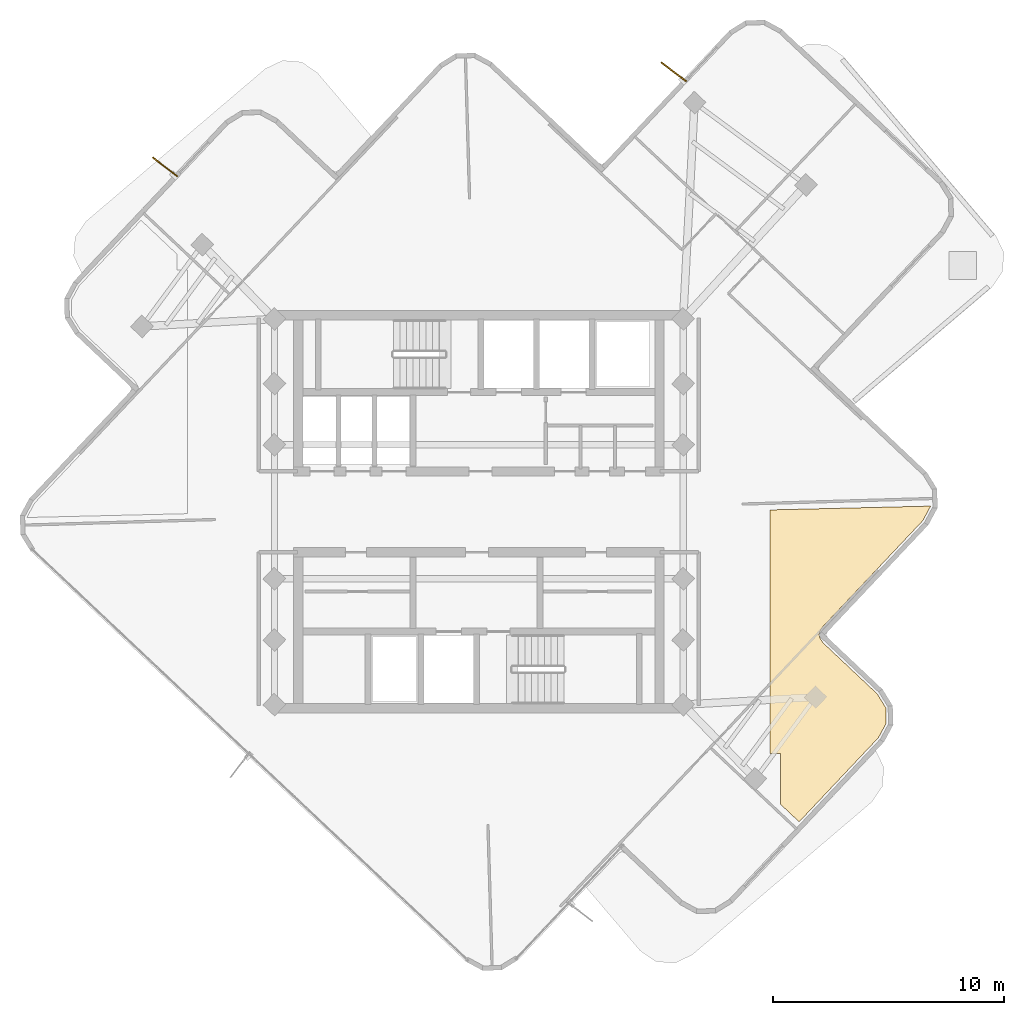
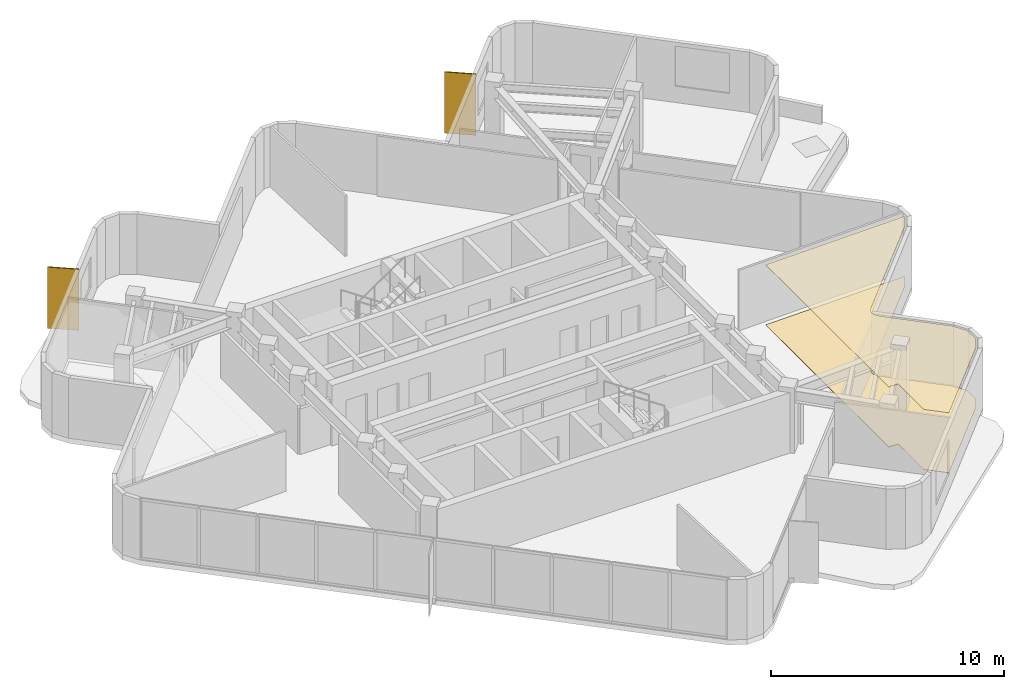
# One storey, part 10 of 10: 2 coverings, 2 shading devices.
"""IFC4 building model written with IfcOpenShell, lengths in metres."""

from ifc_helpers import new_model, si_unit, direction, frame, origin, origin_2d, place, context, subcontext, project, spatial, polyline, rectangle, outline, extrude, material, layer, layer_set, type_object, element, save


model = new_model("IFC4")

# Units and contexts
model_context = context("Model", 3, precision=1e-05, world=origin(), true_north=direction((0.0, 1.0)))
body_context = subcontext(model_context, "Body", "Model", "MODEL_VIEW")
ifc_project = project(units=[si_unit("LENGTHUNIT", "METRE"), si_unit("AREAUNIT", "SQUARE_METRE"), si_unit("VOLUMEUNIT", "CUBIC_METRE"), si_unit("PLANEANGLEUNIT", "RADIAN"), si_unit("MASSUNIT", "GRAM", prefix="KILO")], contexts=[model_context])

# Site, building, storey
site_placement = place(None, origin())
site = spatial("IfcSite", under=ifc_project, at=site_placement, CompositionType="ELEMENT")
building_placement = place(site_placement, origin())
building = spatial("IfcBuilding", under=site, at=building_placement, Name="Solmarez Civic Tower", CompositionType="ELEMENT")
storey_placement = place(building_placement, frame((0.0, 0.0, 244.080078125)))
storey = spatial("IfcBuildingStorey", under=building, at=storey_placement, Name="L65", CompositionType="ELEMENT", Elevation=244.080078125)

# Coverings
ifc_material_1 = material(Name="Perforated Mineral-Fibre Acoustic Ceiling")
ifc_layer_1 = layer(ifc_material_1, 0.02490234375)
ifc_layer_set_1 = layer_set([ifc_layer_1], Name="Perforated Mineral-Fibre Acoustic Ceiling")
covering_type_1 = type_object("IfcCoveringType", Name="COV-CEIL-ACOUSTIC", PredefinedType="CEILING", material=ifc_layer_set_1)
covering_1_placement = place(storey_placement, frame((0.0, 0.0, 3.135009765625)))
element("IfcCovering", 1, at=covering_1_placement, inside=storey, type_object=covering_type_1, Name="L65 Suspended Acoustic Ceiling 2", PredefinedType="CEILING", context=body_context, shape_type="SweptSolid", body=[
    extrude(outline(polyline([(12.60009765625, 0.0810546875), (12.60009765625, -10.466064453125), (13.071044921875, -10.466064453125), (13.06689453125, -12.666015625), (13.8701171875, -13.423095703125), (17.306884765625, -9.778076171875), (17.64306640625, -9.154052734375), (17.6240234375, -8.487060546875), (17.251953125, -7.884033203125), (14.924072265625, -5.68896484375), (14.9189453125, -5.68505859375), (14.9140625, -5.679931640625), (14.89990234375, -5.6630859375), (14.884033203125, -5.64208984375), (14.875, -5.62890625), (14.783935546875, -5.48193359375), (14.77392578125, -5.464111328125), (14.77099609375, -5.4580078125), (14.76611328125, -5.447021484375), (14.762939453125, -5.43994140625), (14.759033203125, -5.429931640625), (14.756103515625, -5.422119140625), (14.7490234375, -5.39990234375), (14.743896484375, -5.3759765625), (14.742919921875, -5.364990234375), (14.741943359375, -5.35888671875), (14.740966796875, -5.35400390625), (14.739013671875, -5.3349609375), (14.739013671875, -5.31494140625), (14.740966796875, -5.2958984375), (14.741943359375, -5.283935546875), (14.742919921875, -5.277099609375), (14.748046875, -5.2548828125), (14.75, -5.2470703125), (14.7548828125, -5.22998046875), (14.760986328125, -5.212890625), (14.763916015625, -5.2060546875), (14.76708984375, -5.198974609375), (14.77587890625, -5.180908203125), (14.85693359375, -5.031005859375), (14.87109375, -5.007080078125), (14.875, -5.0009765625), (14.887939453125, -4.98388671875), (14.905029296875, -4.965087890625), (19.22509765625, -0.384033203125), (19.56103515625, 0.239013671875), (19.56103515625, 0.2470703125), (12.60009765625, 0.0810546875)])), origin(), (0.0, 0.0, 1.0), 0.02490234375),
])
ifc_material_2 = material(Name="Polished Tropical Stone Terrazzo Flooring", Category="masonry")
ifc_layer_2 = layer(ifc_material_2, 0.02001953125)
ifc_layer_set_2 = layer_set([ifc_layer_2], Name="Polished Tropical Stone Terrazzo Flooring")
covering_type_2 = type_object("IfcCoveringType", Name="COV-FLOOR-TERRAZZO", PredefinedType="FLOORING", material=ifc_layer_set_2)
covering_2_placement = place(storey_placement, origin())
element("IfcCovering", 2, at=covering_2_placement, inside=storey, type_object=covering_type_2, Name="L65 Terrazzo Floor Finish 2", PredefinedType="FLOORING", context=body_context, shape_type="SweptSolid", body=[
    extrude(outline(polyline([(12.60009765625, 0.0810546875), (12.60009765625, -10.466064453125), (13.071044921875, -10.466064453125), (13.06689453125, -12.666015625), (13.8701171875, -13.423095703125), (17.306884765625, -9.778076171875), (17.64306640625, -9.154052734375), (17.6240234375, -8.487060546875), (17.251953125, -7.884033203125), (14.924072265625, -5.68896484375), (14.9189453125, -5.68505859375), (14.9140625, -5.679931640625), (14.89990234375, -5.6630859375), (14.884033203125, -5.64208984375), (14.875, -5.62890625), (14.783935546875, -5.48193359375), (14.77392578125, -5.464111328125), (14.77099609375, -5.4580078125), (14.76611328125, -5.447021484375), (14.762939453125, -5.43994140625), (14.759033203125, -5.429931640625), (14.756103515625, -5.422119140625), (14.7490234375, -5.39990234375), (14.743896484375, -5.3759765625), (14.742919921875, -5.364990234375), (14.741943359375, -5.35888671875), (14.740966796875, -5.35400390625), (14.739013671875, -5.3349609375), (14.739013671875, -5.31494140625), (14.740966796875, -5.2958984375), (14.741943359375, -5.283935546875), (14.742919921875, -5.277099609375), (14.748046875, -5.2548828125), (14.75, -5.2470703125), (14.7548828125, -5.22998046875), (14.760986328125, -5.212890625), (14.763916015625, -5.2060546875), (14.76708984375, -5.198974609375), (14.77587890625, -5.180908203125), (14.85693359375, -5.031005859375), (14.87109375, -5.007080078125), (14.875, -5.0009765625), (14.887939453125, -4.98388671875), (14.905029296875, -4.965087890625), (19.22509765625, -0.384033203125), (19.56103515625, 0.239013671875), (19.56103515625, 0.2470703125), (12.60009765625, 0.0810546875)])), origin(), (0.0, 0.0, 1.0), 0.02001953125),
])

# Shading devices
ifc_material_3 = material(Name="Bronze Anodised Aluminium EN AW-6063 T6", Category="aluminium")
ifc_layer_3 = layer(ifc_material_3, 0.054931640625)
ifc_layer_set_3 = layer_set([ifc_layer_3], Name="Bronze Anodised Aluminium EN AW-6063 T6")
shading_device_type = type_object("IfcShadingDeviceType", Name="FIN-BRONZE-Z56", PredefinedType="USERDEFINED", material=ifc_layer_set_3)
for number, where, z_axis, x_axis, name in (
    (3, (-13.58203125, 14.930908203125, -0.0400390625), (0.0, 0.0, 1.0), (-0.79465837281, 0.607056892327, 0.0), "L65 Anodised Bronze Solar Fin FIN-L65-03"),
    (4, (8.44189453125, 19.0458984375, -0.0400390625), (0.0, 0.0, 1.0), (-0.794584200889, 0.607153973632, 0.0), "L65 Anodised Bronze Solar Fin FIN-L65-04"),
):
    element("IfcShadingDevice", number, at=place(storey_placement, frame(where, z_axis=z_axis, x_axis=x_axis)), inside=storey, type_object=shading_device_type, Name=name, ObjectType="FIN", PredefinedType="USERDEFINED", context=body_context, shape_type="SweptSolid", body=[
        extrude(rectangle(XDim=1.35009765625, YDim=0.054931640625, at=origin_2d()), origin(), (0.0, 0.0, 1.0), 3.199951171875),
    ])

save(model, "model.ifc")
